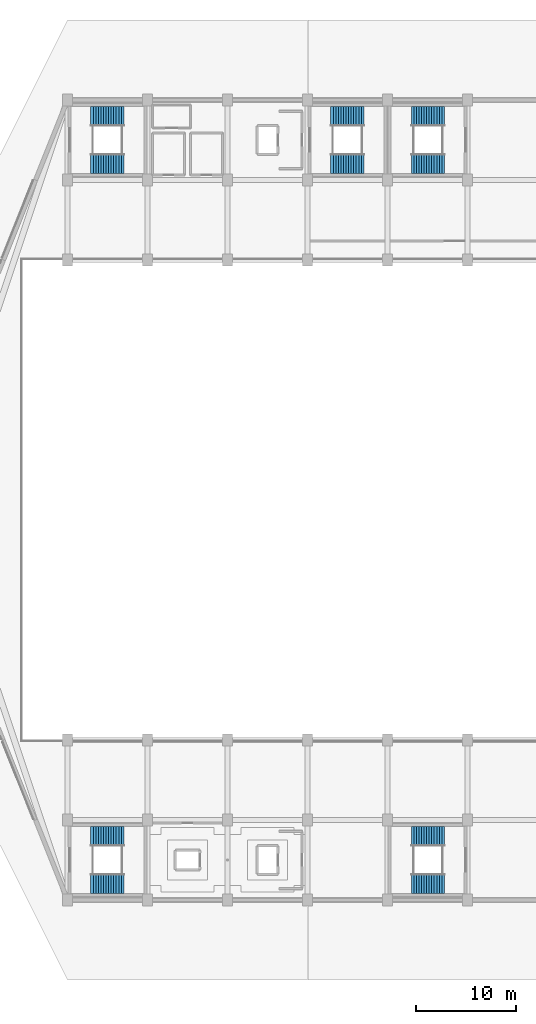
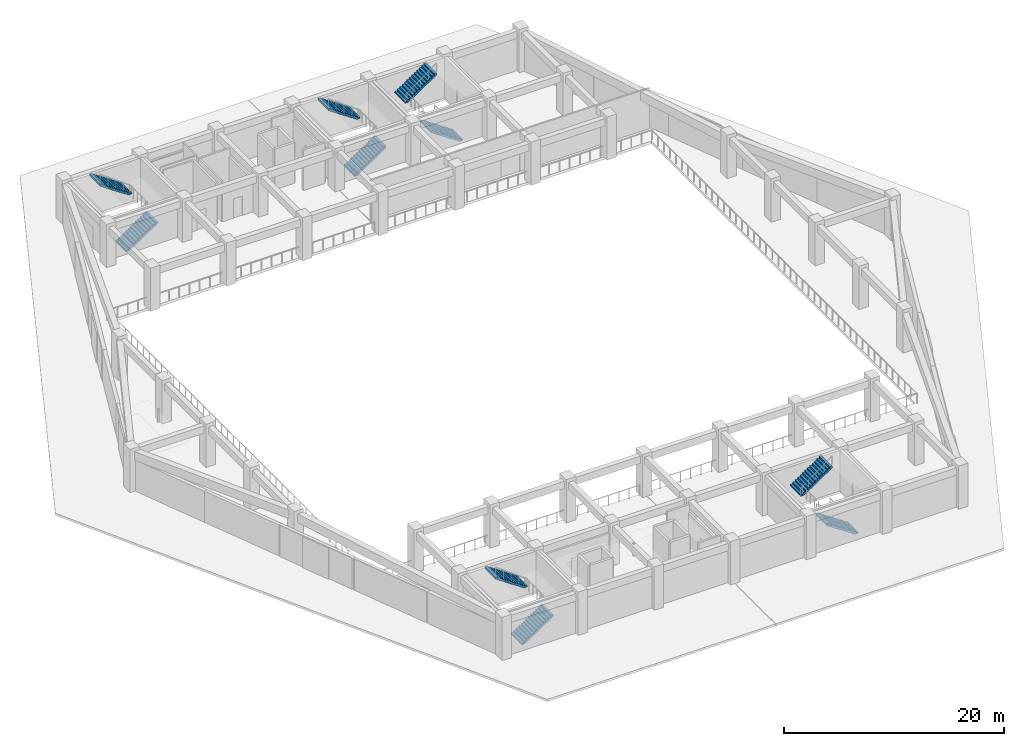
# One storey, part 5 of 8: 10 stair flights, 5 elements without a shape of their own.
"""IFC4 building model written with IfcOpenShell, lengths in metres."""

from ifc_helpers import new_model, si_unit, direction, frame, origin, place, context, subcontext, project, spatial, polyline, outline, extrude, material, type_object, element, aggregate, save


model = new_model("IFC4")

# Units and contexts
model_context = context("Model", 3, precision=1e-05, world=origin(), true_north=direction((0.0, 1.0)))
body_context = subcontext(model_context, "Body", "Model", "MODEL_VIEW")
ifc_project = project(units=[si_unit("LENGTHUNIT", "METRE"), si_unit("AREAUNIT", "SQUARE_METRE"), si_unit("VOLUMEUNIT", "CUBIC_METRE"), si_unit("PLANEANGLEUNIT", "RADIAN"), si_unit("MASSUNIT", "GRAM", prefix="KILO")], contexts=[model_context])

# Site, building, storey
site_placement = place(None, origin())
site = spatial("IfcSite", under=ifc_project, at=site_placement, CompositionType="ELEMENT")
building_placement = place(site_placement, origin())
building = spatial("IfcBuilding", under=site, at=building_placement, Name="Tazarka Park Arena", CompositionType="ELEMENT")
storey_placement = place(building_placement, frame((0.0, 0.0, 19.800048828125)))
storey = spatial("IfcBuildingStorey", under=building, at=storey_placement, Name="L04", CompositionType="ELEMENT", Elevation=19.800048828125)

# Stair, stair flights
ifc_material_1 = material(Name="Precast concrete C40/50", Category="concrete")
stair_type = type_object("IfcStairType", Name="STR-2400", PredefinedType="HALF_TURN_STAIR", material=ifc_material_1)
stair_1_placement = place(storey_placement, origin())
stair_1 = element("IfcStair", 1, at=stair_1_placement, inside=storey, type_object=stair_type, Name="Stair ST09 L04", PredefinedType="HALF_TURN_STAIR")
ifc_material_2 = material(Name="Precast concrete C40/50", Category="concrete")
stair_flight_type = type_object("IfcStairFlightType", Name="FLT-1350", PredefinedType="STRAIGHT", material=ifc_material_2)
stair_flight_1_placement = place(storey_placement, frame((66.31494140625, 25.6298828125, 0.0), z_axis=(0.0, 0.0, 1.0), x_axis=(1.0, 0.0, 0.0)))
stair_flight_1 = element("IfcStairFlight", 2, at=stair_flight_1_placement, type_object=stair_flight_type, Name="ST09-L04 flight 1", NumberOfRisers=14, NumberOfTreads=13, PredefinedType="STRAIGHT", RiserHeight=0.171429, TreadLength=0.255, context=body_context, shape_type="SweptSolid", body=[
    extrude(outline(polyline([(0.0, 0.0), (0.0, 0.17138671875), (0.2548828125, 0.17138671875), (0.2548828125, 0.3427734375), (0.510009765625, 0.3427734375), (0.510009765625, 0.514404296875), (0.764892578125, 0.514404296875), (0.764892578125, 0.685791015625), (1.02001953125, 0.685791015625), (1.02001953125, 0.857177734375), (1.27490234375, 0.857177734375), (1.27490234375, 1.028564453125), (1.530029296875, 1.028564453125), (1.530029296875, 1.199951171875), (1.784912109375, 1.199951171875), (1.784912109375, 1.371337890625), (2.0400390625, 1.371337890625), (2.0400390625, 1.54296875), (2.294921875, 1.54296875), (2.294921875, 1.71435546875), (2.550048828125, 1.71435546875), (2.550048828125, 1.8857421875), (2.804931640625, 1.8857421875), (2.804931640625, 2.05712890625), (3.06005859375, 2.05712890625), (3.06005859375, 2.228515625), (3.31494140625, 2.228515625), (3.31494140625, 2.39990234375), (3.31494140625, 2.01171875), (0.322509765625, 0.0), (0.0, 0.0)])), frame((0.0, 0.969970703125, 0.0), z_axis=(0.0, -1.0, 0.0), x_axis=(1.0, 0.0, 0.0)), (0.0, 0.0, 1.0), 1.93994140625),
])
stair_flight_2_placement = place(storey_placement, frame((69.6298828125, 30.3701171875, 2.39990234375), z_axis=(0.0, 0.0, 1.0), x_axis=(-1.0, 0.0, 0.0)))
stair_flight_2 = element("IfcStairFlight", 3, at=stair_flight_2_placement, type_object=stair_flight_type, Name="ST09-L04 flight 2", NumberOfRisers=14, NumberOfTreads=13, PredefinedType="STRAIGHT", RiserHeight=0.171429, TreadLength=0.255, context=body_context, shape_type="SweptSolid", body=[
    extrude(outline(polyline([(0.0, 0.0), (0.0, 0.17138671875), (0.2548828125, 0.17138671875), (0.2548828125, 0.3427734375), (0.510009765625, 0.3427734375), (0.510009765625, 0.514404296875), (0.764892578125, 0.514404296875), (0.764892578125, 0.685791015625), (1.02001953125, 0.685791015625), (1.02001953125, 0.857177734375), (1.27490234375, 0.857177734375), (1.27490234375, 1.028564453125), (1.530029296875, 1.028564453125), (1.530029296875, 1.199951171875), (1.784912109375, 1.199951171875), (1.784912109375, 1.371337890625), (2.0400390625, 1.371337890625), (2.0400390625, 1.54296875), (2.294921875, 1.54296875), (2.294921875, 1.71435546875), (2.550048828125, 1.71435546875), (2.550048828125, 1.8857421875), (2.804931640625, 1.8857421875), (2.804931640625, 2.05712890625), (3.06005859375, 2.05712890625), (3.06005859375, 2.228515625), (3.31494140625, 2.228515625), (3.31494140625, 2.39990234375), (3.31494140625, 2.01171875), (0.322509765625, 0.0), (0.0, 0.0)])), frame((0.0, 0.969970703125, 0.0), z_axis=(0.0, -1.0, 0.0), x_axis=(1.0, 0.0, 0.0)), (0.0, 0.0, 1.0), 1.93994140625),
])
aggregate(stair_1, [stair_flight_1, stair_flight_2])

stair_2_placement = place(storey_placement, origin())
stair_2 = element("IfcStair", 4, at=stair_2_placement, inside=storey, type_object=stair_type, Name="Stair ST10 L04", PredefinedType="HALF_TURN_STAIR")
stair_flight_3_placement = place(storey_placement, frame((101.68505859375, 97.6298828125, 0.0), z_axis=(0.0, 0.0, 1.0), x_axis=(-1.0, 0.0, 0.0)))
stair_flight_3 = element("IfcStairFlight", 5, at=stair_flight_3_placement, type_object=stair_flight_type, Name="ST10-L04 flight 1", NumberOfRisers=14, NumberOfTreads=13, PredefinedType="STRAIGHT", RiserHeight=0.171429, TreadLength=0.255, context=body_context, shape_type="SweptSolid", body=[
    extrude(outline(polyline([(0.0, 0.0), (0.0, 0.17138671875), (0.2548828125, 0.17138671875), (0.2548828125, 0.3427734375), (0.510009765625, 0.3427734375), (0.510009765625, 0.514404296875), (0.764892578125, 0.514404296875), (0.764892578125, 0.685791015625), (1.02001953125, 0.685791015625), (1.02001953125, 0.857177734375), (1.27490234375, 0.857177734375), (1.27490234375, 1.028564453125), (1.530029296875, 1.028564453125), (1.530029296875, 1.199951171875), (1.784912109375, 1.199951171875), (1.784912109375, 1.371337890625), (2.0400390625, 1.371337890625), (2.0400390625, 1.54296875), (2.294921875, 1.54296875), (2.294921875, 1.71435546875), (2.550048828125, 1.71435546875), (2.550048828125, 1.8857421875), (2.804931640625, 1.8857421875), (2.804931640625, 2.05712890625), (3.06005859375, 2.05712890625), (3.06005859375, 2.228515625), (3.31494140625, 2.228515625), (3.31494140625, 2.39990234375), (3.31494140625, 2.01171875), (0.322509765625, 0.0), (0.0, 0.0)])), frame((0.0, 0.969970703125, 0.0), z_axis=(0.0, -1.0, 0.0), x_axis=(1.0, 0.0, 0.0)), (0.0, 0.0, 1.0), 1.93994140625),
])
stair_flight_4_placement = place(storey_placement, frame((98.3701171875, 102.3701171875, 2.39990234375), z_axis=(0.0, 0.0, 1.0), x_axis=(1.0, 0.0, 0.0)))
stair_flight_4 = element("IfcStairFlight", 6, at=stair_flight_4_placement, type_object=stair_flight_type, Name="ST10-L04 flight 2", NumberOfRisers=14, NumberOfTreads=13, PredefinedType="STRAIGHT", RiserHeight=0.171429, TreadLength=0.255, context=body_context, shape_type="SweptSolid", body=[
    extrude(outline(polyline([(0.0, 0.0), (0.0, 0.17138671875), (0.2548828125, 0.17138671875), (0.2548828125, 0.3427734375), (0.510009765625, 0.3427734375), (0.510009765625, 0.514404296875), (0.764892578125, 0.514404296875), (0.764892578125, 0.685791015625), (1.02001953125, 0.685791015625), (1.02001953125, 0.857177734375), (1.27490234375, 0.857177734375), (1.27490234375, 1.028564453125), (1.530029296875, 1.028564453125), (1.530029296875, 1.199951171875), (1.784912109375, 1.199951171875), (1.784912109375, 1.371337890625), (2.0400390625, 1.371337890625), (2.0400390625, 1.54296875), (2.294921875, 1.54296875), (2.294921875, 1.71435546875), (2.550048828125, 1.71435546875), (2.550048828125, 1.8857421875), (2.804931640625, 1.8857421875), (2.804931640625, 2.05712890625), (3.06005859375, 2.05712890625), (3.06005859375, 2.228515625), (3.31494140625, 2.228515625), (3.31494140625, 2.39990234375), (3.31494140625, 2.01171875), (0.322509765625, 0.0), (0.0, 0.0)])), frame((0.0, 0.969970703125, 0.0), z_axis=(0.0, -1.0, 0.0), x_axis=(1.0, 0.0, 0.0)), (0.0, 0.0, 1.0), 1.93994140625),
])
aggregate(stair_2, [stair_flight_3, stair_flight_4])

stair_3_placement = place(storey_placement, origin())
stair_3 = element("IfcStair", 7, at=stair_3_placement, inside=storey, type_object=stair_type, Name="Stair ST11 L04", PredefinedType="HALF_TURN_STAIR")
stair_flight_5_placement = place(storey_placement, frame((101.68505859375, 25.6298828125, 0.0), z_axis=(0.0, 0.0, 1.0), x_axis=(-1.0, 0.0, 0.0)))
stair_flight_5 = element("IfcStairFlight", 8, at=stair_flight_5_placement, type_object=stair_flight_type, Name="ST11-L04 flight 1", NumberOfRisers=14, NumberOfTreads=13, PredefinedType="STRAIGHT", RiserHeight=0.171429, TreadLength=0.255, context=body_context, shape_type="SweptSolid", body=[
    extrude(outline(polyline([(0.0, 0.0), (0.0, 0.17138671875), (0.2548828125, 0.17138671875), (0.2548828125, 0.3427734375), (0.510009765625, 0.3427734375), (0.510009765625, 0.514404296875), (0.764892578125, 0.514404296875), (0.764892578125, 0.685791015625), (1.02001953125, 0.685791015625), (1.02001953125, 0.857177734375), (1.27490234375, 0.857177734375), (1.27490234375, 1.028564453125), (1.530029296875, 1.028564453125), (1.530029296875, 1.199951171875), (1.784912109375, 1.199951171875), (1.784912109375, 1.371337890625), (2.0400390625, 1.371337890625), (2.0400390625, 1.54296875), (2.294921875, 1.54296875), (2.294921875, 1.71435546875), (2.550048828125, 1.71435546875), (2.550048828125, 1.8857421875), (2.804931640625, 1.8857421875), (2.804931640625, 2.05712890625), (3.06005859375, 2.05712890625), (3.06005859375, 2.228515625), (3.31494140625, 2.228515625), (3.31494140625, 2.39990234375), (3.31494140625, 2.01171875), (0.322509765625, 0.0), (0.0, 0.0)])), frame((0.0, 0.969970703125, 0.0), z_axis=(0.0, -1.0, 0.0), x_axis=(1.0, 0.0, 0.0)), (0.0, 0.0, 1.0), 1.93994140625),
])
stair_flight_6_placement = place(storey_placement, frame((98.3701171875, 30.3701171875, 2.39990234375), z_axis=(0.0, 0.0, 1.0), x_axis=(1.0, 0.0, 0.0)))
stair_flight_6 = element("IfcStairFlight", 9, at=stair_flight_6_placement, type_object=stair_flight_type, Name="ST11-L04 flight 2", NumberOfRisers=14, NumberOfTreads=13, PredefinedType="STRAIGHT", RiserHeight=0.171429, TreadLength=0.255, context=body_context, shape_type="SweptSolid", body=[
    extrude(outline(polyline([(0.0, 0.0), (0.0, 0.17138671875), (0.2548828125, 0.17138671875), (0.2548828125, 0.3427734375), (0.510009765625, 0.3427734375), (0.510009765625, 0.514404296875), (0.764892578125, 0.514404296875), (0.764892578125, 0.685791015625), (1.02001953125, 0.685791015625), (1.02001953125, 0.857177734375), (1.27490234375, 0.857177734375), (1.27490234375, 1.028564453125), (1.530029296875, 1.028564453125), (1.530029296875, 1.199951171875), (1.784912109375, 1.199951171875), (1.784912109375, 1.371337890625), (2.0400390625, 1.371337890625), (2.0400390625, 1.54296875), (2.294921875, 1.54296875), (2.294921875, 1.71435546875), (2.550048828125, 1.71435546875), (2.550048828125, 1.8857421875), (2.804931640625, 1.8857421875), (2.804931640625, 2.05712890625), (3.06005859375, 2.05712890625), (3.06005859375, 2.228515625), (3.31494140625, 2.228515625), (3.31494140625, 2.39990234375), (3.31494140625, 2.01171875), (0.322509765625, 0.0), (0.0, 0.0)])), frame((0.0, 0.969970703125, 0.0), z_axis=(0.0, -1.0, 0.0), x_axis=(1.0, 0.0, 0.0)), (0.0, 0.0, 1.0), 1.93994140625),
])
aggregate(stair_3, [stair_flight_5, stair_flight_6])

stair_4_placement = place(storey_placement, origin())
stair_4 = element("IfcStair", 10, at=stair_4_placement, inside=storey, type_object=stair_type, Name="Stair ST14 L04", PredefinedType="HALF_TURN_STAIR")
stair_flight_7_placement = place(storey_placement, frame((66.31494140625, 97.6298828125, 0.0), z_axis=(0.0, 0.0, 1.0), x_axis=(1.0, 0.0, 0.0)))
stair_flight_7 = element("IfcStairFlight", 11, at=stair_flight_7_placement, type_object=stair_flight_type, Name="ST14-L04 flight 1", NumberOfRisers=14, NumberOfTreads=13, PredefinedType="STRAIGHT", RiserHeight=0.171429, TreadLength=0.255, context=body_context, shape_type="SweptSolid", body=[
    extrude(outline(polyline([(0.0, 0.0), (0.0, 0.17138671875), (0.2548828125, 0.17138671875), (0.2548828125, 0.3427734375), (0.510009765625, 0.3427734375), (0.510009765625, 0.514404296875), (0.764892578125, 0.514404296875), (0.764892578125, 0.685791015625), (1.02001953125, 0.685791015625), (1.02001953125, 0.857177734375), (1.27490234375, 0.857177734375), (1.27490234375, 1.028564453125), (1.530029296875, 1.028564453125), (1.530029296875, 1.199951171875), (1.784912109375, 1.199951171875), (1.784912109375, 1.371337890625), (2.0400390625, 1.371337890625), (2.0400390625, 1.54296875), (2.294921875, 1.54296875), (2.294921875, 1.71435546875), (2.550048828125, 1.71435546875), (2.550048828125, 1.8857421875), (2.804931640625, 1.8857421875), (2.804931640625, 2.05712890625), (3.06005859375, 2.05712890625), (3.06005859375, 2.228515625), (3.31494140625, 2.228515625), (3.31494140625, 2.39990234375), (3.31494140625, 2.01171875), (0.322509765625, 0.0), (0.0, 0.0)])), frame((0.0, 0.969970703125, 0.0), z_axis=(0.0, -1.0, 0.0), x_axis=(1.0, 0.0, 0.0)), (0.0, 0.0, 1.0), 1.93994140625),
])
stair_flight_8_placement = place(storey_placement, frame((69.6298828125, 102.3701171875, 2.39990234375), z_axis=(0.0, 0.0, 1.0), x_axis=(-1.0, 0.0, 0.0)))
stair_flight_8 = element("IfcStairFlight", 12, at=stair_flight_8_placement, type_object=stair_flight_type, Name="ST14-L04 flight 2", NumberOfRisers=14, NumberOfTreads=13, PredefinedType="STRAIGHT", RiserHeight=0.171429, TreadLength=0.255, context=body_context, shape_type="SweptSolid", body=[
    extrude(outline(polyline([(0.0, 0.0), (0.0, 0.17138671875), (0.2548828125, 0.17138671875), (0.2548828125, 0.3427734375), (0.510009765625, 0.3427734375), (0.510009765625, 0.514404296875), (0.764892578125, 0.514404296875), (0.764892578125, 0.685791015625), (1.02001953125, 0.685791015625), (1.02001953125, 0.857177734375), (1.27490234375, 0.857177734375), (1.27490234375, 1.028564453125), (1.530029296875, 1.028564453125), (1.530029296875, 1.199951171875), (1.784912109375, 1.199951171875), (1.784912109375, 1.371337890625), (2.0400390625, 1.371337890625), (2.0400390625, 1.54296875), (2.294921875, 1.54296875), (2.294921875, 1.71435546875), (2.550048828125, 1.71435546875), (2.550048828125, 1.8857421875), (2.804931640625, 1.8857421875), (2.804931640625, 2.05712890625), (3.06005859375, 2.05712890625), (3.06005859375, 2.228515625), (3.31494140625, 2.228515625), (3.31494140625, 2.39990234375), (3.31494140625, 2.01171875), (0.322509765625, 0.0), (0.0, 0.0)])), frame((0.0, 0.969970703125, 0.0), z_axis=(0.0, -1.0, 0.0), x_axis=(1.0, 0.0, 0.0)), (0.0, 0.0, 1.0), 1.93994140625),
])
aggregate(stair_4, [stair_flight_7, stair_flight_8])

stair_5_placement = place(storey_placement, origin())
stair_5 = element("IfcStair", 13, at=stair_5_placement, inside=storey, type_object=stair_type, Name="Stair ST15 L04", PredefinedType="HALF_TURN_STAIR")
stair_flight_9_placement = place(storey_placement, frame((90.31494140625, 97.6298828125, 0.0), z_axis=(0.0, 0.0, 1.0), x_axis=(1.0, 0.0, 0.0)))
stair_flight_9 = element("IfcStairFlight", 14, at=stair_flight_9_placement, type_object=stair_flight_type, Name="ST15-L04 flight 1", NumberOfRisers=14, NumberOfTreads=13, PredefinedType="STRAIGHT", RiserHeight=0.171429, TreadLength=0.255, context=body_context, shape_type="SweptSolid", body=[
    extrude(outline(polyline([(0.0, 0.0), (0.0, 0.17138671875), (0.2548828125, 0.17138671875), (0.2548828125, 0.3427734375), (0.510009765625, 0.3427734375), (0.510009765625, 0.514404296875), (0.764892578125, 0.514404296875), (0.764892578125, 0.685791015625), (1.02001953125, 0.685791015625), (1.02001953125, 0.857177734375), (1.27490234375, 0.857177734375), (1.27490234375, 1.028564453125), (1.530029296875, 1.028564453125), (1.530029296875, 1.199951171875), (1.784912109375, 1.199951171875), (1.784912109375, 1.371337890625), (2.0400390625, 1.371337890625), (2.0400390625, 1.54296875), (2.294921875, 1.54296875), (2.294921875, 1.71435546875), (2.550048828125, 1.71435546875), (2.550048828125, 1.8857421875), (2.804931640625, 1.8857421875), (2.804931640625, 2.05712890625), (3.06005859375, 2.05712890625), (3.06005859375, 2.228515625), (3.31494140625, 2.228515625), (3.31494140625, 2.39990234375), (3.31494140625, 2.01171875), (0.322509765625, 0.0), (0.0, 0.0)])), frame((0.0, 0.969970703125, 0.0), z_axis=(0.0, -1.0, 0.0), x_axis=(1.0, 0.0, 0.0)), (0.0, 0.0, 1.0), 1.93994140625),
])
stair_flight_10_placement = place(storey_placement, frame((93.6298828125, 102.3701171875, 2.39990234375), z_axis=(0.0, 0.0, 1.0), x_axis=(-1.0, 0.0, 0.0)))
stair_flight_10 = element("IfcStairFlight", 15, at=stair_flight_10_placement, type_object=stair_flight_type, Name="ST15-L04 flight 2", NumberOfRisers=14, NumberOfTreads=13, PredefinedType="STRAIGHT", RiserHeight=0.171429, TreadLength=0.255, context=body_context, shape_type="SweptSolid", body=[
    extrude(outline(polyline([(0.0, 0.0), (0.0, 0.17138671875), (0.2548828125, 0.17138671875), (0.2548828125, 0.3427734375), (0.510009765625, 0.3427734375), (0.510009765625, 0.514404296875), (0.764892578125, 0.514404296875), (0.764892578125, 0.685791015625), (1.02001953125, 0.685791015625), (1.02001953125, 0.857177734375), (1.27490234375, 0.857177734375), (1.27490234375, 1.028564453125), (1.530029296875, 1.028564453125), (1.530029296875, 1.199951171875), (1.784912109375, 1.199951171875), (1.784912109375, 1.371337890625), (2.0400390625, 1.371337890625), (2.0400390625, 1.54296875), (2.294921875, 1.54296875), (2.294921875, 1.71435546875), (2.550048828125, 1.71435546875), (2.550048828125, 1.8857421875), (2.804931640625, 1.8857421875), (2.804931640625, 2.05712890625), (3.06005859375, 2.05712890625), (3.06005859375, 2.228515625), (3.31494140625, 2.228515625), (3.31494140625, 2.39990234375), (3.31494140625, 2.01171875), (0.322509765625, 0.0), (0.0, 0.0)])), frame((0.0, 0.969970703125, 0.0), z_axis=(0.0, -1.0, 0.0), x_axis=(1.0, 0.0, 0.0)), (0.0, 0.0, 1.0), 1.93994140625),
])
aggregate(stair_5, [stair_flight_9, stair_flight_10])

save(model, "model.ifc")
